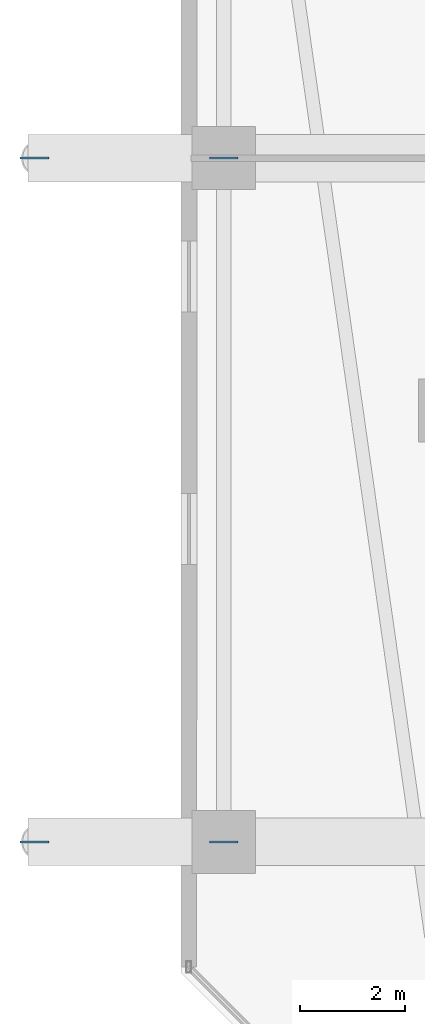
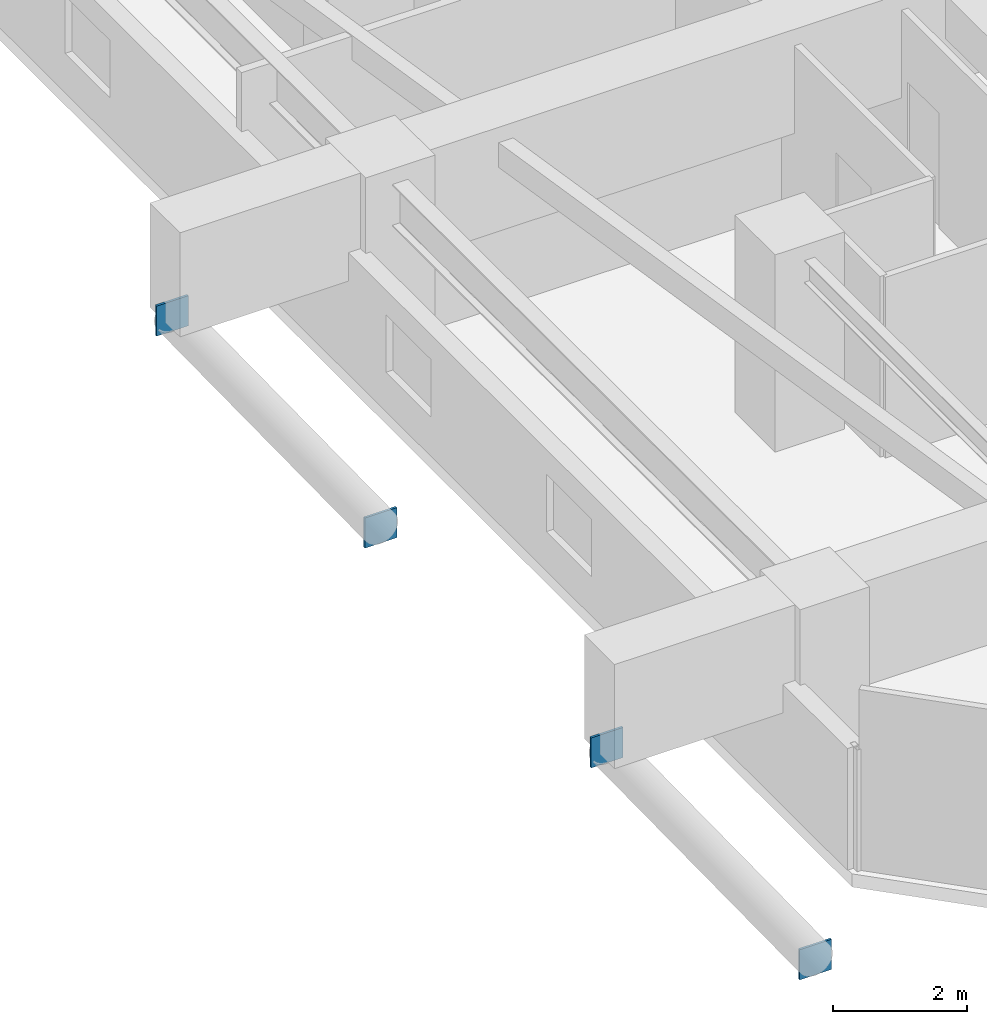
# One storey, part 17 of 36: 4 plates.
"""IFC4 building model written with IfcOpenShell, lengths in metres."""

from ifc_helpers import new_model, si_unit, direction, frame, origin, origin_2d, place, context, subcontext, project, spatial, rectangle, extrude, material, layer, layer_set, type_object, element, save


model = new_model("IFC4")

# Units and contexts
model_context = context("Model", 3, precision=1e-05, world=origin(), true_north=direction((0.0, 1.0)))
body_context = subcontext(model_context, "Body", "Model", "MODEL_VIEW")
ifc_project = project(units=[si_unit("LENGTHUNIT", "METRE"), si_unit("AREAUNIT", "SQUARE_METRE"), si_unit("VOLUMEUNIT", "CUBIC_METRE"), si_unit("PLANEANGLEUNIT", "RADIAN"), si_unit("MASSUNIT", "GRAM", prefix="KILO")], contexts=[model_context])

# Site, building, storey
site_placement = place(None, origin())
site = spatial("IfcSite", under=ifc_project, at=site_placement, CompositionType="ELEMENT")
building_placement = place(site_placement, origin())
building = spatial("IfcBuilding", under=site, at=building_placement, Name="Thornwick Lancets Civic Towers", CompositionType="ELEMENT")
storey_placement = place(building_placement, frame((0.0, 0.0, 94.5)))
storey = spatial("IfcBuildingStorey", under=building, at=storey_placement, Name="L24", CompositionType="ELEMENT", Elevation=94.5)

# Plates
ifc_material = material(Name="Steel S460M", Category="steel")
ifc_layer = layer(ifc_material, 0.0400390625, Name="Steel S460M")
ifc_layer_set = layer_set([ifc_layer], Name="Steel S460M")
plate_type = type_object("IfcPlateType", Name="PLT_GUSSET_40", PredefinedType="USERDEFINED", material=ifc_layer_set)
for number, where, z_axis, x_axis, name in (
    (1, (8.199951171875, 14.0, -3.625), (0.0, 0.0, 1.0), (-1.0, 0.0, 0.0), "L24 Brace Connection Gusset Plate 0137"),
    (2, (4.60009765625, 14.0, 1.5048828125), (0.0, 0.0, 1.0), (-1.0, 0.0, 0.0), "L24 Brace Connection Gusset Plate 0138"),
    (3, (8.199951171875, 27.0, -3.625), (0.0, 0.0, 1.0), (-1.0, 0.0, 0.0), "L24 Brace Connection Gusset Plate 0139"),
    (4, (4.60009765625, 27.0, 1.5048828125), (0.0, 0.0, 1.0), (-1.0, 0.0, 0.0), "L24 Brace Connection Gusset Plate 0140"),
):
    element("IfcPlate", number, at=place(storey_placement, frame(where, z_axis=z_axis, x_axis=x_axis)), inside=storey, type_object=plate_type, Name=name, ObjectType="GUSSET_PLATE", PredefinedType="USERDEFINED", context=body_context, shape_type="SweptSolid", body=[
        extrude(rectangle(XDim=0.550048828125, YDim=0.0400390625, at=origin_2d()), origin(), (0.0, 0.0, 1.0), 0.550048828125),
    ])

save(model, "model.ifc")
